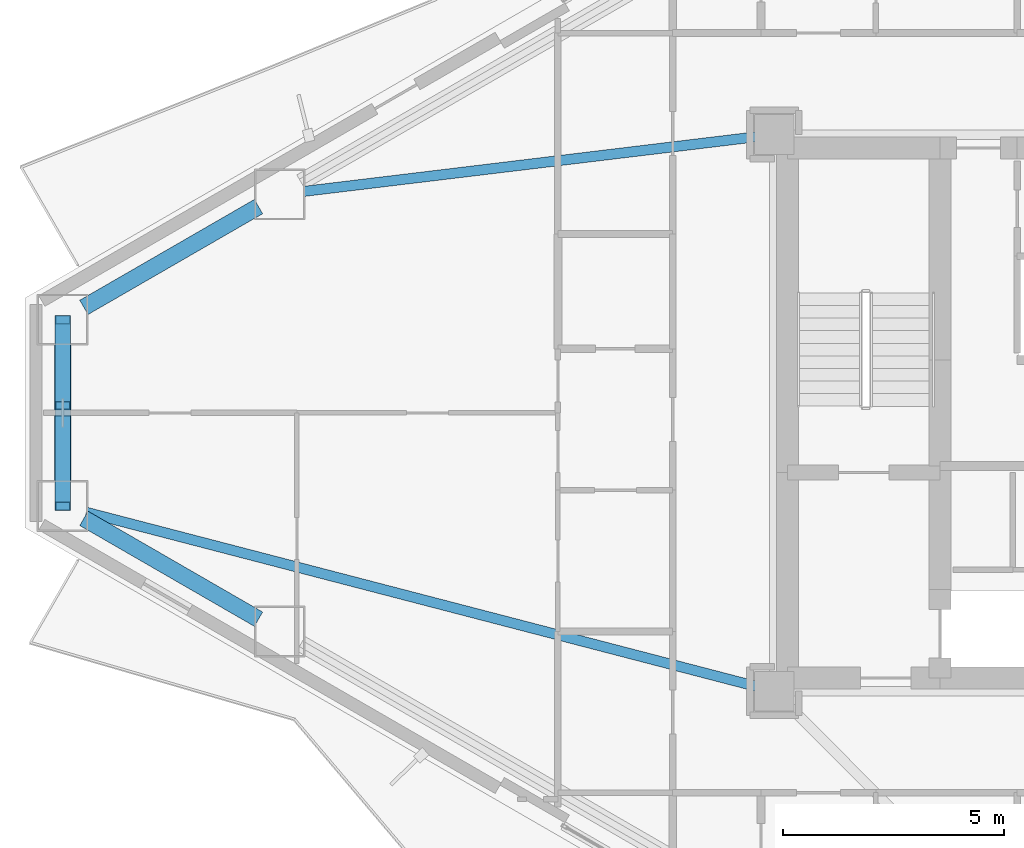
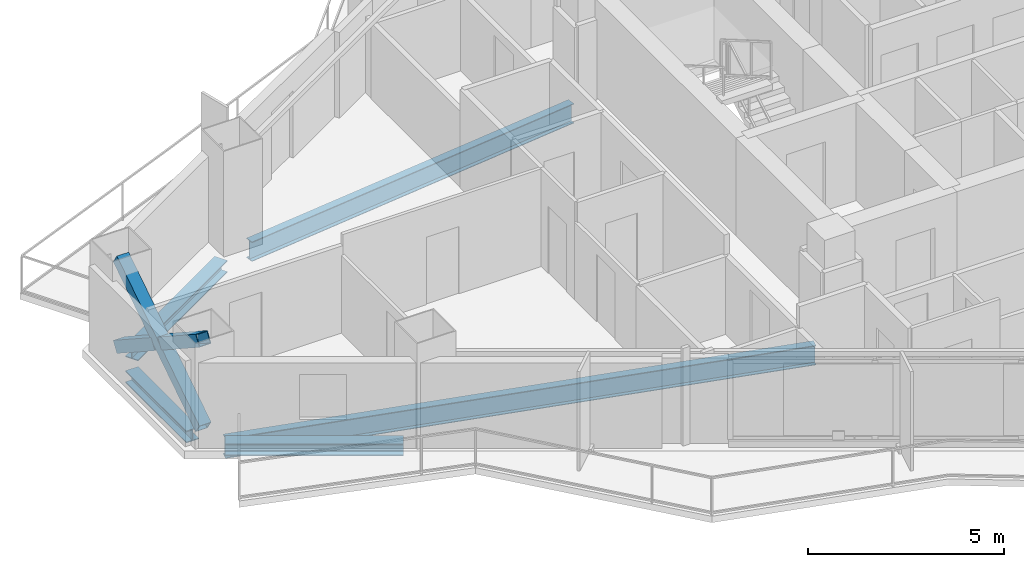
# One storey, part 5 of 23: 5 beams, 3 members.
"""IFC4 building model written with IfcOpenShell, lengths in metres."""

from ifc_helpers import new_model, si_unit, direction, frame, origin, origin_2d, place, context, subcontext, project, spatial, hollow_rectangle, i_section, extrude, material, material_profile, profile_set, type_object, element, save


model = new_model("IFC4")

# Units and contexts
model_context = context("Model", 3, precision=1e-05, world=origin(), true_north=direction((0.0, 1.0)))
body_context = subcontext(model_context, "Body", "Model", "MODEL_VIEW")
ifc_project = project(units=[si_unit("LENGTHUNIT", "METRE"), si_unit("AREAUNIT", "SQUARE_METRE"), si_unit("VOLUMEUNIT", "CUBIC_METRE"), si_unit("PLANEANGLEUNIT", "RADIAN"), si_unit("MASSUNIT", "GRAM", prefix="KILO")], contexts=[model_context])

# Site, building, storey
site_placement = place(None, origin())
site = spatial("IfcSite", under=ifc_project, at=site_placement, CompositionType="ELEMENT")
building_placement = place(site_placement, origin())
building = spatial("IfcBuilding", under=site, at=building_placement, Name="Mersakhor Tower and Convention Hall", CompositionType="ELEMENT")
storey_placement = place(building_placement, frame((0.0, 0.0, 93.300048828125)))
storey = spatial("IfcBuildingStorey", under=building, at=storey_placement, Name="L25", CompositionType="ELEMENT", Elevation=93.300048828125)

# Beams
ifc_material_1 = material(Name="Steel S355", Category="steel")
ifc_material_profile_1 = material_profile(ifc_material_1, i_section(OverallWidth=0.22900390625, OverallDepth=0.6123046875, WebThickness=0.011962890625, FlangeThickness=0.01953125, at=origin_2d()), Name="UB 610x229x125")
ifc_profile_set_1 = profile_set([ifc_material_profile_1], Name="Steel S355")
beam_type_1 = type_object("IfcBeamType", Name="BM-PR-610", PredefinedType="BEAM", material=ifc_profile_set_1)
beam_1_placement = place(storey_placement, frame((21.47314453125, 32.99853515625, -0.55615234375), z_axis=(-0.992798628585, -0.119795171356, 0.0), x_axis=(0.119795171356, -0.992798628585, 0.0)))
element("IfcBeam", 1, at=beam_1_placement, inside=storey, type_object=beam_type_1, Name="L25 Primary Floor Girder FG-1", PredefinedType="BEAM", context=body_context, shape_type="SweptSolid", body=[
    extrude(i_section(OverallWidth=0.22900390625, OverallDepth=0.6123046875, WebThickness=0.011962890625, FlangeThickness=0.01953125, at=origin_2d()), origin(), (0.0, 0.0, 1.0), 10.2939453125),
])
beam_2_placement = place(storey_placement, frame((21.48388671875, 20.55810546875, -0.55615234375), z_axis=(-0.967826150614, 0.251619836632, 0.0), x_axis=(-0.251619836632, -0.967826150614, 0.0)))
element("IfcBeam", 2, at=beam_2_placement, inside=storey, type_object=beam_type_1, Name="L25 Primary Floor Girder FG-6", PredefinedType="BEAM", context=body_context, shape_type="SweptSolid", body=[
    extrude(i_section(OverallWidth=0.22900390625, OverallDepth=0.6123046875, WebThickness=0.011962890625, FlangeThickness=0.01953125, at=origin_2d()), origin(), (0.0, 0.0, 1.0), 15.6640625),
])
ifc_material_2 = material(Name="Steel S355", Category="steel")
ifc_material_profile_2 = material_profile(ifc_material_2, i_section(OverallWidth=0.374755859375, OverallDepth=0.37451171875, WebThickness=0.0166015625, FlangeThickness=0.027099609375, at=origin_2d()), Name="UC 356x368x202")
ifc_profile_set_2 = profile_set([ifc_material_profile_2], Name="Steel S355")
beam_type_2 = type_object("IfcBeamType", Name="BM-SPD-UC356", PredefinedType="SPANDREL", material=ifc_profile_set_2)
for number, where, z_axis, x_axis, name in (
    (3, (6.267333984375, 29.13818359375, -0.437255859375), (0.866023543838, 0.500003221507, 0.0), (-0.500003221507, 0.866023543838, 0.0), "L25 Perimeter Spandrel Beam SPB-01"),
    (4, (10.221923828125, 22.07861328125, -0.437255859375), (-0.866023543838, 0.500003221507, 0.0), (-0.500003221507, -0.866023543838, 0.0), "L25 Perimeter Spandrel Beam SPB-11"),
):
    element("IfcBeam", number, at=place(storey_placement, frame(where, z_axis=z_axis, x_axis=x_axis)), inside=storey, type_object=beam_type_2, Name=name, PredefinedType="SPANDREL", context=body_context, shape_type="SweptSolid", body=[
        extrude(i_section(OverallWidth=0.374755859375, OverallDepth=0.37451171875, WebThickness=0.0166015625, FlangeThickness=0.027099609375, at=origin_2d()), origin(), (0.0, 0.0, 1.0), 4.56640625),
    ])
beam_3_placement = place(storey_placement, frame((5.78662109375, 25.194091796875, -0.437255859375), z_axis=(0.0, 1.0, 0.0), x_axis=(-1.0, 0.0, 0.0)))
element("IfcBeam", 5, at=beam_3_placement, inside=storey, type_object=beam_type_2, Name="L25 Perimeter Spandrel Beam SPB-12", PredefinedType="SPANDREL", context=body_context, shape_type="SweptSolid", body=[
    extrude(i_section(OverallWidth=0.374755859375, OverallDepth=0.37451171875, WebThickness=0.0166015625, FlangeThickness=0.027099609375, at=origin_2d()), origin(), (0.0, 0.0, 1.0), 3.11181640625),
])

# Members
ifc_material_3 = material(Name="Steel S460", Category="steel")
ifc_material_profile_3 = material_profile(ifc_material_3, hollow_rectangle(XDim=0.35009765625, YDim=0.35009765625, WallThickness=0.02001953125, at=origin_2d()), Name="SHS 350x350x20")
ifc_profile_set_3 = profile_set([ifc_material_profile_3], Name="Steel S460")
member_type = type_object("IfcMemberType", Name="MB-BRC-SHS350", PredefinedType="BRACE", material=ifc_profile_set_3)
member_1_placement = place(storey_placement, frame((5.78662109375, 24.63916015625, 0.14990234375), z_axis=(0.0, 0.837907380789, 0.54581244143), x_axis=(-1.0, 0.0, 0.0)))
element("IfcMember", 6, at=member_1_placement, inside=storey, type_object=member_type, Name="L25 Chamfer Braced Frame Diagonal CB-3A", PredefinedType="BRACE", context=body_context, shape_type="SweptSolid", body=[
    extrude(hollow_rectangle(XDim=0.35009765625, YDim=0.35009765625, WallThickness=0.02001953125, at=origin_2d()), origin(), (0.0, 0.0, 1.0), 5.038330078125),
])
member_2_placement = place(storey_placement, frame((5.78662109375, 28.86083984375, 0.14990234375), z_axis=(0.0, -0.83788056026, 0.54585361292), x_axis=(1.0, 0.0, 0.0)))
element("IfcMember", 7, at=member_2_placement, inside=storey, type_object=member_type, Name="L25 Chamfer Braced Frame Diagonal CB-3B Lower Half", PredefinedType="BRACE", context=body_context, shape_type="SweptSolid", body=[
    extrude(hollow_rectangle(XDim=0.35009765625, YDim=0.35009765625, WallThickness=0.02001953125, at=origin_2d()), origin(), (0.0, 0.0, 1.0), 2.320068359375),
])
member_3_placement = place(storey_placement, frame((5.78662109375, 26.5830078125, 1.6337890625), z_axis=(0.0, -0.837928690032, 0.545779727016), x_axis=(1.0, 0.0, 0.0)))
element("IfcMember", 8, at=member_3_placement, inside=storey, type_object=member_type, Name="L25 Chamfer Braced Frame Diagonal CB-3B Upper Half", PredefinedType="BRACE", context=body_context, shape_type="SweptSolid", body=[
    extrude(hollow_rectangle(XDim=0.35009765625, YDim=0.35009765625, WallThickness=0.02001953125, at=origin_2d()), origin(), (0.0, 0.0, 1.0), 2.31982421875),
])

save(model, "model.ifc")
